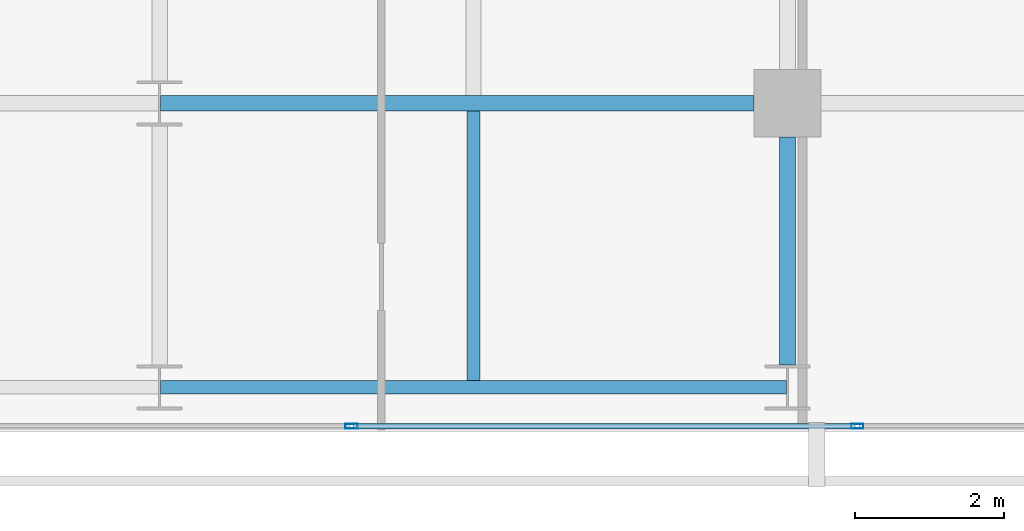
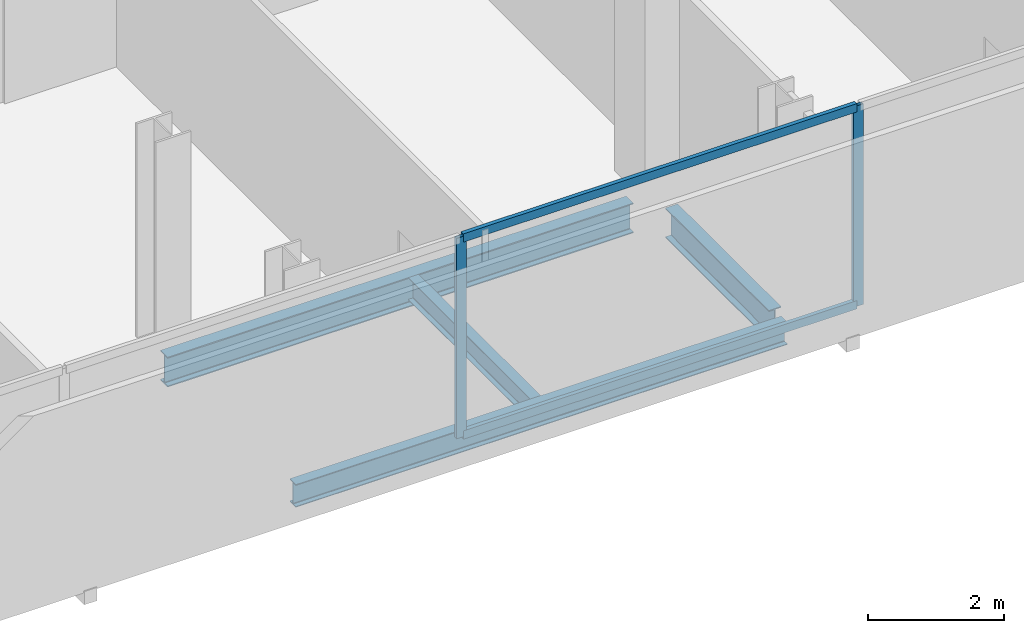
# One storey, part 12 of 34: 4 beams, 4 members, 1 element without a shape of its own.
"""IFC4 building model written with IfcOpenShell, lengths in metres."""

from ifc_helpers import new_model, si_unit, direction, frame, origin, origin_2d, place, context, subcontext, project, spatial, hollow_rectangle, i_section, extrude, material, layer, layer_set, material_profile, profile_set, type_object, element, aggregate, save


model = new_model("IFC4")

# Units and contexts
model_context = context("Model", 3, precision=1e-05, world=origin(), true_north=direction((0.0, 1.0)))
body_context = subcontext(model_context, "Body", "Model", "MODEL_VIEW")
ifc_project = project(units=[si_unit("LENGTHUNIT", "METRE"), si_unit("AREAUNIT", "SQUARE_METRE"), si_unit("VOLUMEUNIT", "CUBIC_METRE"), si_unit("PLANEANGLEUNIT", "RADIAN"), si_unit("MASSUNIT", "GRAM", prefix="KILO")], contexts=[model_context])

# Site, building, storey
site_placement = place(None, origin())
site = spatial("IfcSite", under=ifc_project, at=site_placement, CompositionType="ELEMENT")
building_placement = place(site_placement, origin())
building = spatial("IfcBuilding", under=site, at=building_placement, Name="Maruvema Waterfront Hotel and Observation Tower", CompositionType="ELEMENT")
storey_placement = place(building_placement, frame((0.0, 0.0, 208.25)))
storey = spatial("IfcBuildingStorey", under=building, at=storey_placement, Name="L51", CompositionType="ELEMENT", Elevation=208.25)

# Curtain wall, members
ifc_material_1 = material(Name="Anodised bronze aluminium and solar-control low-E IGU", Category="aluminium")
ifc_layer = layer(ifc_material_1, 0.159912109375, Name="Zone 2 Amber Inner Thermal Curtain Wall System CW-03")
ifc_layer_set = layer_set([ifc_layer], Name="Anodised bronze aluminium and solar-control low-E IGU")
curtain_wall_type = type_object("IfcCurtainWallType", Name="Zone 2 Amber Inner Thermal Curtain Wall System CW-03", PredefinedType="USERDEFINED", material=ifc_layer_set)
curtain_wall_placement = place(storey_placement, origin())
curtain_wall = element("IfcCurtainWall", 1, at=curtain_wall_placement, inside=storey, type_object=curtain_wall_type, Name="L51 Curtain Wall CW-L51-S", ObjectType="UNITISED CURTAIN WALL", PredefinedType="USERDEFINED")
ifc_material_2 = material(Name="Anodised architectural bronze aluminium", Category="aluminium")
ifc_material_profile_1 = material_profile(ifc_material_2, hollow_rectangle(XDim=0.070068359375, YDim=0.14990234375, WallThickness=0.00390625, at=origin_2d()), Name="ALU-T70x150")
ifc_profile_set_1 = profile_set([ifc_material_profile_1], Name="Anodised architectural bronze aluminium")
member_type_1 = type_object("IfcMemberType", Name="Curtain Wall Horizontal Transom ALU-T70x150", PredefinedType="USERDEFINED", material=ifc_profile_set_1)
member_1_placement = place(storey_placement, frame((44.5966796875, 4.679931640625, 0.030029296875), z_axis=(1.0, 0.0, 0.0), x_axis=(0.0, 1.0, 0.0)))
member_1 = element("IfcMember", 2, at=member_1_placement, type_object=member_type_1, Name="CW-03 transom 5.1", ObjectType="TRANSOM", PredefinedType="USERDEFINED", context=body_context, shape_type="SweptSolid", body=[
    extrude(hollow_rectangle(XDim=0.070068359375, YDim=0.14990234375, WallThickness=0.00390625, at=origin_2d()), origin(), (0.0, 0.0, 1.0), 6.70654296875),
])
member_2_placement = place(storey_placement, frame((44.5966796875, 4.679931640625, 3.580078125), z_axis=(1.0, 0.0, 0.0), x_axis=(0.0, 1.0, 0.0)))
member_2 = element("IfcMember", 3, at=member_2_placement, type_object=member_type_1, Name="CW-03 transom 5.2", ObjectType="TRANSOM", PredefinedType="USERDEFINED", context=body_context, shape_type="SweptSolid", body=[
    extrude(hollow_rectangle(XDim=0.070068359375, YDim=0.14990234375, WallThickness=0.00390625, at=origin_2d()), origin(), (0.0, 0.0, 1.0), 6.70654296875),
])
ifc_material_3 = material(Name="Anodised architectural bronze aluminium", Category="aluminium")
ifc_material_profile_2 = material_profile(ifc_material_3, hollow_rectangle(XDim=0.06494140625, YDim=0.1650390625, WallThickness=0.00390625, at=origin_2d()), Name="ALU-M65x165")
ifc_profile_set_2 = profile_set([ifc_material_profile_2], Name="Anodised architectural bronze aluminium")
member_type_2 = type_object("IfcMemberType", Name="Curtain Wall Primary Mullion ALU-M65x165", PredefinedType="MULLION", material=ifc_profile_set_2)
member_3_placement = place(storey_placement, frame((44.566650390625, 4.679931640625, 0.0), z_axis=(0.0, 0.0, 1.0), x_axis=(0.0, 1.0, 0.0)))
member_3 = element("IfcMember", 4, at=member_3_placement, type_object=member_type_2, Name="CW-03 mullion 5", PredefinedType="MULLION", context=body_context, shape_type="SweptSolid", body=[
    extrude(hollow_rectangle(XDim=0.06494140625, YDim=0.1650390625, WallThickness=0.00390625, at=origin_2d()), origin(), (0.0, 0.0, 1.0), 3.610107421875),
])
member_4_placement = place(storey_placement, frame((51.333251953125, 4.679931640625, 0.0), z_axis=(0.0, 0.0, 1.0), x_axis=(0.0, 1.0, 0.0)))
member_4 = element("IfcMember", 5, at=member_4_placement, type_object=member_type_2, Name="CW-03 mullion 6", PredefinedType="MULLION", context=body_context, shape_type="SweptSolid", body=[
    extrude(hollow_rectangle(XDim=0.06494140625, YDim=0.1650390625, WallThickness=0.00390625, at=origin_2d()), origin(), (0.0, 0.0, 1.0), 3.610107421875),
])
aggregate(curtain_wall, [member_3, member_4, member_1, member_2])

# Beams
ifc_material_4 = material(Name="Steel ASTM A572 Grade 50", Category="steel")
ifc_material_profile_3 = material_profile(ifc_material_4, i_section(OverallWidth=0.178955078125, OverallDepth=0.409912109375, WebThickness=0.0087890625, FlangeThickness=0.014404296875, FilletRadius=0.014892578125, at=origin_2d()), Name="W410x67.0")
ifc_profile_set_3 = profile_set([ifc_material_profile_3], Name="Steel ASTM A572 Grade 50")
beam_type_1 = type_object("IfcBeamType", Name="Perimeter Spandrel Beam W410x67.0", PredefinedType="SPANDREL", material=ifc_profile_set_3)
beam_1_placement = place(storey_placement, frame((42.012451171875, 5.199951171875, -0.445068359375), z_axis=(1.0, 0.0, 0.0), x_axis=(0.0, 1.0, 0.0)))
element("IfcBeam", 6, at=beam_1_placement, inside=storey, type_object=beam_type_1, Name="L51 Floor Girder EW-03", PredefinedType="SPANDREL", context=body_context, shape_type="SweptSolid", body=[
    extrude(i_section(OverallWidth=0.178955078125, OverallDepth=0.409912109375, WebThickness=0.0087890625, FlangeThickness=0.014404296875, FilletRadius=0.014892578125, at=origin_2d()), origin(), (0.0, 0.0, 1.0), 8.375),
])
ifc_material_5 = material(Name="Steel ASTM A572 Grade 50", Category="steel")
ifc_material_profile_4 = material_profile(ifc_material_5, i_section(OverallWidth=0.2109375, OverallDepth=0.5390625, WebThickness=0.01171875, FlangeThickness=0.018798828125, FilletRadius=0.014892578125, at=origin_2d()), Name="W530x109.0")
ifc_profile_set_4 = profile_set([ifc_material_profile_4], Name="Steel ASTM A572 Grade 50")
beam_type_2 = type_object("IfcBeamType", Name="Primary Floor Girder W530x109.0", PredefinedType="BEAM", material=ifc_profile_set_4)
beam_2_placement = place(storey_placement, frame((42.012451171875, 9.0, -0.509521484375), z_axis=(1.0, 0.0, 0.0), x_axis=(0.0, 1.0, 0.0)))
element("IfcBeam", 7, at=beam_2_placement, inside=storey, type_object=beam_type_2, Name="L51 Floor Girder EW-08", PredefinedType="BEAM", context=body_context, shape_type="SweptSolid", body=[
    extrude(i_section(OverallWidth=0.2109375, OverallDepth=0.5390625, WebThickness=0.01171875, FlangeThickness=0.018798828125, FilletRadius=0.014892578125, at=origin_2d()), origin(), (0.0, 0.0, 1.0), 7.9375),
])
beam_3_placement = place(storey_placement, frame((50.39990234375, 5.5, -0.509521484375), z_axis=(0.0, 1.0, 0.0), x_axis=(-1.0, 0.0, 0.0)))
element("IfcBeam", 8, at=beam_3_placement, inside=storey, type_object=beam_type_2, Name="L51 Floor Girder NS-20", PredefinedType="BEAM", context=body_context, shape_type="SweptSolid", body=[
    extrude(i_section(OverallWidth=0.2109375, OverallDepth=0.5390625, WebThickness=0.01171875, FlangeThickness=0.018798828125, FilletRadius=0.014892578125, at=origin_2d()), origin(), (0.0, 0.0, 1.0), 3.050048828125),
])
ifc_material_6 = material(Name="Steel ASTM A572 Grade 50", Category="steel")
ifc_material_profile_5 = material_profile(ifc_material_6, i_section(OverallWidth=0.177001953125, OverallDepth=0.403076171875, WebThickness=0.007568359375, FlangeThickness=0.010986328125, FilletRadius=0.014892578125, at=origin_2d()), Name="W410x53.0")
ifc_profile_set_5 = profile_set([ifc_material_profile_5], Name="Steel ASTM A572 Grade 50")
beam_type_3 = type_object("IfcBeamType", Name="Secondary Floor Joist W410x53.0", PredefinedType="JOIST", material=ifc_profile_set_5)
beam_4_placement = place(storey_placement, frame((46.199951171875, 5.28955078125, -0.44140625), z_axis=(0.0, 1.0, 0.0), x_axis=(-1.0, 0.0, 0.0)))
element("IfcBeam", 9, at=beam_4_placement, inside=storey, type_object=beam_type_3, Name="L51 Secondary Floor Joist JS-09", PredefinedType="JOIST", context=body_context, shape_type="SweptSolid", body=[
    extrude(i_section(OverallWidth=0.177001953125, OverallDepth=0.403076171875, WebThickness=0.007568359375, FlangeThickness=0.010986328125, FilletRadius=0.014892578125, at=origin_2d()), origin(), (0.0, 0.0, 1.0), 3.60498046875),
])

save(model, "model.ifc")
